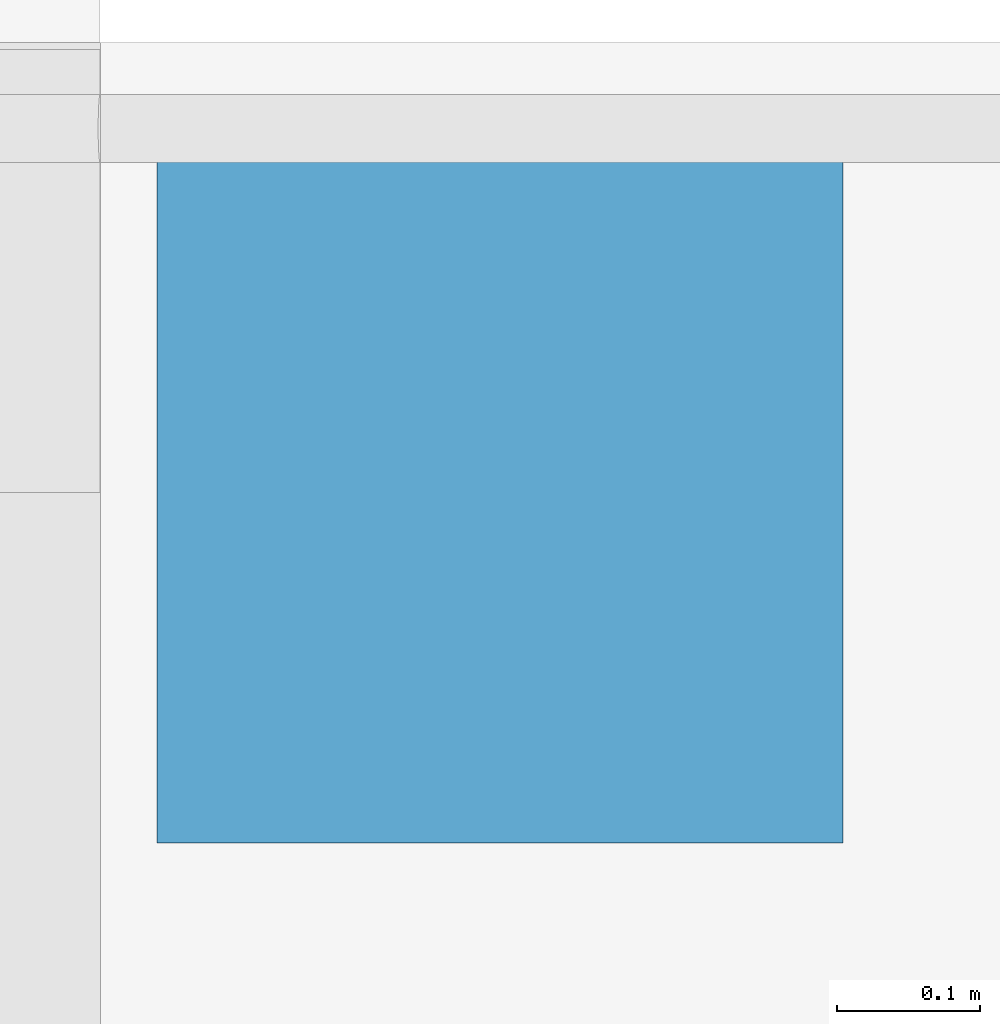
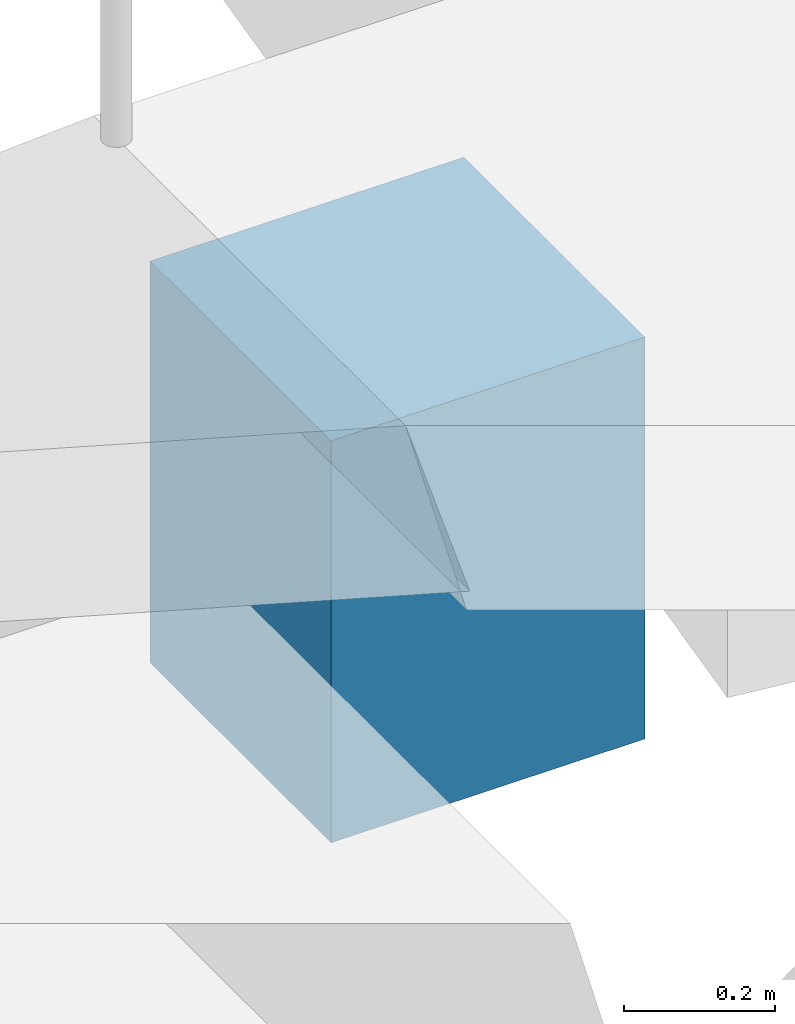
# One storey, part 5 of 109: 1 footing.
"""IFC4 building model written with IfcOpenShell, lengths in metres."""

from ifc_helpers import new_model, si_unit, direction, frame, origin, origin_2d, place, context, subcontext, project, spatial, rectangle, extrude, material, type_object, element, save


model = new_model("IFC4")

# Units and contexts
model_context = context("Model", 3, precision=1e-05, world=origin(), true_north=direction((0.0, 1.0)))
body_context = subcontext(model_context, "Body", "Model", "MODEL_VIEW")
ifc_project = project(units=[si_unit("LENGTHUNIT", "METRE"), si_unit("AREAUNIT", "SQUARE_METRE"), si_unit("VOLUMEUNIT", "CUBIC_METRE"), si_unit("PLANEANGLEUNIT", "RADIAN"), si_unit("MASSUNIT", "GRAM", prefix="KILO")], contexts=[model_context])

# Site, building, storey
site_placement = place(None, origin())
site = spatial("IfcSite", under=ifc_project, at=site_placement, CompositionType="ELEMENT")
building_placement = place(site_placement, origin())
building = spatial("IfcBuilding", under=site, at=building_placement, Name="Montecoro Central Library", CompositionType="ELEMENT")
storey_placement = place(building_placement, origin())
storey = spatial("IfcBuildingStorey", under=building, at=storey_placement, Name="L00", CompositionType="ELEMENT", Elevation=0.0)

# Footing
ifc_material = material(Name="Concrete C35/45", Category="concrete")
footing_type = type_object("IfcFootingType", Name="FT-PAD-180", PredefinedType="PAD_FOOTING", material=ifc_material)
footing_placement = place(storey_placement, frame((58.60888671875, 58.951904296875, -0.31005859375), z_axis=(0.0, 0.0, 1.0), x_axis=(1.0, 0.0, 0.0)))
element("IfcFooting", 1, at=footing_placement, inside=storey, type_object=footing_type, Name="V1-RAMP-PAD5-12", PredefinedType="PAD_FOOTING", context=body_context, shape_type="SweptSolid", body=[
    extrude(rectangle(XDim=0.47998046875, YDim=0.47998046875, at=origin_2d()), origin(), (0.0, 0.0, 1.0), 0.64990234375),
])

save(model, "model.ifc")
